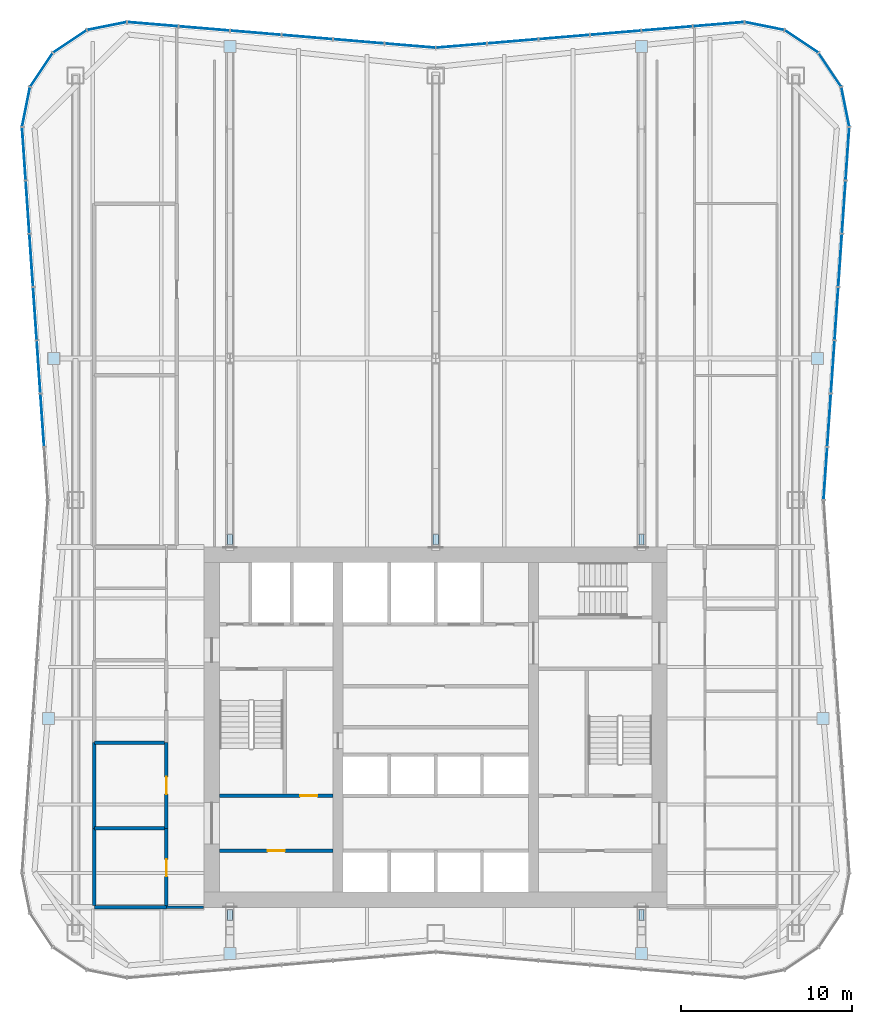
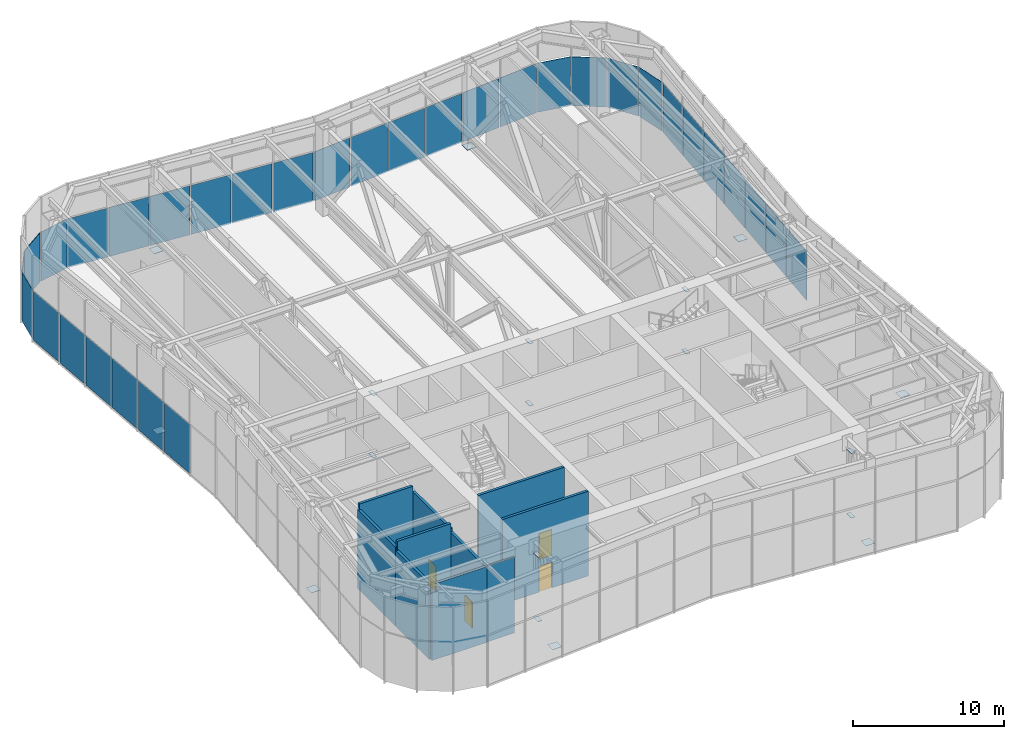
# One storey, part 8 of 14: 51 plates, 10 walls, 4 doors, 4 openings, 5 elements without a shape of their own.
"""IFC4 building model written with IfcOpenShell, lengths in metres."""

from ifc_helpers import new_model, si_unit, direction, frame, frame_2d, origin, origin_2d, place, context, subcontext, project, spatial, rectangle, extrude, material, layer, layer_set, type_object, element, fill, aggregate, save


model = new_model("IFC4")

# Units and contexts
model_context = context("Model", 3, precision=1e-05, world=origin(), true_north=direction((0.0, 1.0)))
body_context = subcontext(model_context, "Body", "Model", "MODEL_VIEW")
ifc_project = project(units=[si_unit("LENGTHUNIT", "METRE"), si_unit("AREAUNIT", "SQUARE_METRE"), si_unit("VOLUMEUNIT", "CUBIC_METRE"), si_unit("PLANEANGLEUNIT", "RADIAN"), si_unit("MASSUNIT", "GRAM", prefix="KILO")], contexts=[model_context])

# Site, building, storey
site_placement = place(None, origin())
site = spatial("IfcSite", under=ifc_project, at=site_placement, CompositionType="ELEMENT")
building_placement = place(site_placement, origin())
building = spatial("IfcBuilding", under=site, at=building_placement, Name="Verdant Reach Tower", CompositionType="ELEMENT")
storey_placement = place(building_placement, frame((0.0, 0.0, 226.0)))
storey = spatial("IfcBuildingStorey", under=building, at=storey_placement, Name="L52 Plant", CompositionType="ELEMENT", Elevation=226.0)

# Curtain wall, plates
ifc_material_1 = material(Name="Anodised aluminium", Category="aluminium")
curtain_wall_type = type_object("IfcCurtainWallType", Name="EN-CW SYSTEM PLANT", PredefinedType="NOTDEFINED", material=ifc_material_1)
curtain_wall_1_placement = place(storey_placement, origin())
curtain_wall_1 = element("IfcCurtainWall", 1, at=curtain_wall_1_placement, inside=storey, type_object=curtain_wall_type, Name="Curtain wall east, L52", PredefinedType="NOTDEFINED")
ifc_material_2 = material(Name="Bronze anodised aluminium solid panel", Category="aluminium")
ifc_layer_1 = layer(ifc_material_2, 0.0400390625)
ifc_layer_set_1 = layer_set([ifc_layer_1], Name="EN-PANEL SOLID")
plate_type_1 = type_object("IfcPlateType", Name="EN-PANEL SOLID", PredefinedType="CURTAIN_PANEL", material=ifc_layer_set_1)
plate_1_placement = place(storey_placement, frame((22.72607421875, 42.799560546875, -0.199951171875), z_axis=(0.0, 0.0, 1.0), x_axis=(0.068892655483, 0.997624078509, 0.0)))
plate_1 = element("IfcPlate", 2, at=plate_1_placement, type_object=plate_type_1, Name="Solid panel east face part 2 1.1, L52", PredefinedType="CURTAIN_PANEL", context=body_context, shape_type="SweptSolid", body=[
    extrude(rectangle(XDim=3.0302734375, YDim=0.0400390625, at=origin_2d()), origin(), (0.0, 0.0, 1.0), 3.97509765625),
])
plate_2_placement = place(storey_placement, frame((22.940185546875, 45.902587890625, -0.199951171875), z_axis=(0.0, 0.0, 1.0), x_axis=(0.068802091615, 0.997630328423, 0.0)))
plate_2 = element("IfcPlate", 3, at=plate_2_placement, type_object=plate_type_1, Name="Solid panel east face part 2 2.1, L52", PredefinedType="CURTAIN_PANEL", context=body_context, shape_type="SweptSolid", body=[
    extrude(rectangle(XDim=3.03857421875, YDim=0.0400390625, at=origin_2d()), origin(), (0.0, 0.0, 1.0), 3.97509765625),
])
plate_3_placement = place(storey_placement, frame((23.154541015625, 49.009765625, -0.199951171875), z_axis=(0.0, 0.0, 1.0), x_axis=(0.068802091615, 0.997630328423, 0.0)))
plate_3 = element("IfcPlate", 4, at=plate_3_placement, type_object=plate_type_1, Name="Solid panel east face part 2 3.1, L52", PredefinedType="CURTAIN_PANEL", context=body_context, shape_type="SweptSolid", body=[
    extrude(rectangle(XDim=3.03857421875, YDim=0.0400390625, at=origin_2d()), origin(), (0.0, 0.0, 1.0), 3.97509765625),
])
plate_4_placement = place(storey_placement, frame((23.36865234375, 52.11669921875, -0.199951171875), z_axis=(0.0, 0.0, 1.0), x_axis=(0.068802091615, 0.997630328423, 0.0)))
plate_4 = element("IfcPlate", 5, at=plate_4_placement, type_object=plate_type_1, Name="Solid panel east face part 2 4.1, L52", PredefinedType="CURTAIN_PANEL", context=body_context, shape_type="SweptSolid", body=[
    extrude(rectangle(XDim=3.03857421875, YDim=0.0400390625, at=origin_2d()), origin(), (0.0, 0.0, 1.0), 3.97509765625),
])
plate_5_placement = place(storey_placement, frame((23.5830078125, 55.223876953125, -0.199951171875), z_axis=(0.0, 0.0, 1.0), x_axis=(0.068802091615, 0.997630328423, 0.0)))
plate_5 = element("IfcPlate", 6, at=plate_5_placement, type_object=plate_type_1, Name="Solid panel east face part 2 5.1, L52", PredefinedType="CURTAIN_PANEL", context=body_context, shape_type="SweptSolid", body=[
    extrude(rectangle(XDim=3.03857421875, YDim=0.0400390625, at=origin_2d()), origin(), (0.0, 0.0, 1.0), 3.97509765625),
])
plate_6_placement = place(storey_placement, frame((23.79736328125, 58.3310546875, -0.199951171875), z_axis=(0.0, 0.0, 1.0), x_axis=(0.068802091615, 0.997630328423, 0.0)))
plate_6 = element("IfcPlate", 7, at=plate_6_placement, type_object=plate_type_1, Name="Solid panel east face part 2 6.1, L52", PredefinedType="CURTAIN_PANEL", context=body_context, shape_type="SweptSolid", body=[
    extrude(rectangle(XDim=3.03857421875, YDim=0.0400390625, at=origin_2d()), origin(), (0.0, 0.0, 1.0), 3.97509765625),
])
plate_7_placement = place(storey_placement, frame((24.011474609375, 61.446044921875, -0.199951171875), z_axis=(0.0, 0.0, 1.0), x_axis=(0.068469163133, 0.997653233193, 0.0)))
plate_7 = element("IfcPlate", 8, at=plate_7_placement, type_object=plate_type_1, Name="Solid panel east face part 2 7.1, L52", PredefinedType="CURTAIN_PANEL", context=body_context, shape_type="SweptSolid", body=[
    extrude(rectangle(XDim=3.05419921875, YDim=0.0400390625, at=origin_2d()), origin(), (0.0, 0.0, 1.0), 3.97509765625),
])
aggregate(curtain_wall_1, [plate_1, plate_2, plate_3, plate_4, plate_5, plate_6, plate_7])

curtain_wall_2_placement = place(storey_placement, origin())
curtain_wall_2 = element("IfcCurtainWall", 9, at=curtain_wall_2_placement, inside=storey, type_object=curtain_wall_type, Name="Curtain wall north-east corner, L52", PredefinedType="NOTDEFINED")
plate_8_placement = place(storey_placement, frame((23.885986328125, 64.174560546875, -0.199951171875), z_axis=(0.0, 0.0, 1.0), x_axis=(-0.195592962334, 0.980685165119, 0.0)))
plate_8 = element("IfcPlate", 10, at=plate_8_placement, type_object=plate_type_1, Name="Solid panel north-east corner 1.1, L52", PredefinedType="CURTAIN_PANEL", context=body_context, shape_type="SweptSolid", body=[
    extrude(rectangle(XDim=2.303955078125, YDim=0.0400390625, at=origin_2d()), origin(), (0.0, 0.0, 1.0), 3.97509765625),
])
plate_9_placement = place(storey_placement, frame((22.989990234375, 66.334228515625, -0.199951171875), z_axis=(0.0, 0.0, 1.0), x_axis=(-0.555596466265, 0.83145208321, 0.0)))
plate_9 = element("IfcPlate", 11, at=plate_9_placement, type_object=plate_type_1, Name="Solid panel north-east corner 2.1, L52", PredefinedType="CURTAIN_PANEL", context=body_context, shape_type="SweptSolid", body=[
    extrude(rectangle(XDim=2.3115234375, YDim=0.0400390625, at=origin_2d()), origin(), (0.0, 0.0, 1.0), 3.97509765625),
])
plate_10_placement = place(storey_placement, frame((21.334228515625, 67.989990234375, -0.199951171875), z_axis=(0.0, 0.0, 1.0), x_axis=(-0.83145208321, 0.555596466265, 0.0)))
plate_10 = element("IfcPlate", 12, at=plate_10_placement, type_object=plate_type_1, Name="Solid panel north-east corner 3.1, L52", PredefinedType="CURTAIN_PANEL", context=body_context, shape_type="SweptSolid", body=[
    extrude(rectangle(XDim=2.3115234375, YDim=0.0400390625, at=origin_2d()), origin(), (0.0, 0.0, 1.0), 3.97509765625),
])
plate_11_placement = place(storey_placement, frame((19.174072265625, 68.885986328125, -0.199951171875), z_axis=(0.0, 0.0, 1.0), x_axis=(-0.980694678629, 0.195545256419, 0.0)))
plate_11 = element("IfcPlate", 13, at=plate_11_placement, type_object=plate_type_1, Name="Solid panel north-east corner 4.1, L52", PredefinedType="CURTAIN_PANEL", context=body_context, shape_type="SweptSolid", body=[
    extrude(rectangle(XDim=2.304931640625, YDim=0.0400390625, at=origin_2d()), origin(), (0.0, 0.0, 1.0), 3.97509765625),
])
aggregate(curtain_wall_2, [plate_8, plate_9, plate_10, plate_11])

curtain_wall_3_placement = place(storey_placement, origin())
curtain_wall_3 = element("IfcCurtainWall", 14, at=curtain_wall_3_placement, inside=storey, type_object=curtain_wall_type, Name="Curtain wall north, L52", PredefinedType="NOTDEFINED")
plate_12_placement = place(storey_placement, frame((16.49853515625, 68.99365234375, -0.199951171875), z_axis=(0.0, 0.0, 1.0), x_axis=(-0.996577509664, -0.082663578629, 0.0)))
plate_12 = element("IfcPlate", 15, at=plate_12_placement, type_object=plate_type_1, Name="Solid panel north face part 1 1.1, L52", PredefinedType="CURTAIN_PANEL", context=body_context, shape_type="SweptSolid", body=[
    extrude(rectangle(XDim=2.950927734375, YDim=0.0400390625, at=origin_2d()), origin(), (0.0, 0.0, 1.0), 3.97509765625),
])
plate_13_placement = place(storey_placement, frame((13.490234375, 68.74365234375, -0.199951171875), z_axis=(0.0, 0.0, 1.0), x_axis=(-0.996545758244, -0.083045479859, 0.0)))
plate_13 = element("IfcPlate", 16, at=plate_13_placement, type_object=plate_type_1, Name="Solid panel north face part 1 2.1, L52", PredefinedType="CURTAIN_PANEL", context=body_context, shape_type="SweptSolid", body=[
    extrude(rectangle(XDim=2.934326171875, YDim=0.0400390625, at=origin_2d()), origin(), (0.0, 0.0, 1.0), 3.97509765625),
])
plate_14_placement = place(storey_placement, frame((10.490234375, 68.49365234375, -0.199951171875), z_axis=(0.0, 0.0, 1.0), x_axis=(-0.996545758244, -0.083045479859, 0.0)))
plate_14 = element("IfcPlate", 17, at=plate_14_placement, type_object=plate_type_1, Name="Solid panel north face part 1 3.1, L52", PredefinedType="CURTAIN_PANEL", context=body_context, shape_type="SweptSolid", body=[
    extrude(rectangle(XDim=2.934326171875, YDim=0.0400390625, at=origin_2d()), origin(), (0.0, 0.0, 1.0), 3.97509765625),
])
plate_15_placement = place(storey_placement, frame((7.490234375, 68.24365234375, -0.199951171875), z_axis=(0.0, 0.0, 1.0), x_axis=(-0.996545758244, -0.083045479859, 0.0)))
plate_15 = element("IfcPlate", 18, at=plate_15_placement, type_object=plate_type_1, Name="Solid panel north face part 1 4.1, L52", PredefinedType="CURTAIN_PANEL", context=body_context, shape_type="SweptSolid", body=[
    extrude(rectangle(XDim=2.934326171875, YDim=0.0400390625, at=origin_2d()), origin(), (0.0, 0.0, 1.0), 3.97509765625),
])
plate_16_placement = place(storey_placement, frame((4.490234375, 67.99365234375, -0.199951171875), z_axis=(0.0, 0.0, 1.0), x_axis=(-0.996545758244, -0.083045479859, 0.0)))
plate_16 = element("IfcPlate", 19, at=plate_16_placement, type_object=plate_type_1, Name="Solid panel north face part 1 5.1, L52", PredefinedType="CURTAIN_PANEL", context=body_context, shape_type="SweptSolid", body=[
    extrude(rectangle(XDim=2.934326171875, YDim=0.0400390625, at=origin_2d()), origin(), (0.0, 0.0, 1.0), 3.97509765625),
])
plate_17_placement = place(storey_placement, frame((1.4951171875, 67.743896484375, -0.199951171875), z_axis=(0.0, 0.0, 1.0), x_axis=(-0.996534372104, -0.083182000546, 0.0)))
plate_17 = element("IfcPlate", 20, at=plate_17_placement, type_object=plate_type_1, Name="Solid panel north face part 1 6.1, L52", PredefinedType="CURTAIN_PANEL", context=body_context, shape_type="SweptSolid", body=[
    extrude(rectangle(XDim=2.924560546875, YDim=0.0400390625, at=origin_2d()), origin(), (0.0, 0.0, 1.0), 3.97509765625),
])
plate_18_placement = place(storey_placement, frame((-1.4951171875, 67.743896484375, -0.199951171875), z_axis=(0.0, 0.0, 1.0), x_axis=(-0.996534372104, 0.083182000546, 0.0)))
plate_18 = element("IfcPlate", 21, at=plate_18_placement, type_object=plate_type_1, Name="Solid panel north face part 2 1.1, L52", PredefinedType="CURTAIN_PANEL", context=body_context, shape_type="SweptSolid", body=[
    extrude(rectangle(XDim=2.924560546875, YDim=0.0400390625, at=origin_2d()), origin(), (0.0, 0.0, 1.0), 3.97509765625),
])
plate_19_placement = place(storey_placement, frame((-4.490234375, 67.99365234375, -0.199951171875), z_axis=(0.0, 0.0, 1.0), x_axis=(-0.996545758244, 0.083045479859, 0.0)))
plate_19 = element("IfcPlate", 22, at=plate_19_placement, type_object=plate_type_1, Name="Solid panel north face part 2 2.1, L52", PredefinedType="CURTAIN_PANEL", context=body_context, shape_type="SweptSolid", body=[
    extrude(rectangle(XDim=2.934326171875, YDim=0.0400390625, at=origin_2d()), origin(), (0.0, 0.0, 1.0), 3.97509765625),
])
plate_20_placement = place(storey_placement, frame((-7.490234375, 68.24365234375, -0.199951171875), z_axis=(0.0, 0.0, 1.0), x_axis=(-0.996545758244, 0.083045479859, 0.0)))
plate_20 = element("IfcPlate", 23, at=plate_20_placement, type_object=plate_type_1, Name="Solid panel north face part 2 3.1, L52", PredefinedType="CURTAIN_PANEL", context=body_context, shape_type="SweptSolid", body=[
    extrude(rectangle(XDim=2.934326171875, YDim=0.0400390625, at=origin_2d()), origin(), (0.0, 0.0, 1.0), 3.97509765625),
])
plate_21_placement = place(storey_placement, frame((-10.490234375, 68.49365234375, -0.199951171875), z_axis=(0.0, 0.0, 1.0), x_axis=(-0.996545758244, 0.083045479859, 0.0)))
plate_21 = element("IfcPlate", 24, at=plate_21_placement, type_object=plate_type_1, Name="Solid panel north face part 2 4.1, L52", PredefinedType="CURTAIN_PANEL", context=body_context, shape_type="SweptSolid", body=[
    extrude(rectangle(XDim=2.934326171875, YDim=0.0400390625, at=origin_2d()), origin(), (0.0, 0.0, 1.0), 3.97509765625),
])
plate_22_placement = place(storey_placement, frame((-13.490234375, 68.74365234375, -0.199951171875), z_axis=(0.0, 0.0, 1.0), x_axis=(-0.996545758244, 0.083045479859, 0.0)))
plate_22 = element("IfcPlate", 25, at=plate_22_placement, type_object=plate_type_1, Name="Solid panel north face part 2 5.1, L52", PredefinedType="CURTAIN_PANEL", context=body_context, shape_type="SweptSolid", body=[
    extrude(rectangle(XDim=2.934326171875, YDim=0.0400390625, at=origin_2d()), origin(), (0.0, 0.0, 1.0), 3.97509765625),
])
plate_23_placement = place(storey_placement, frame((-16.49853515625, 68.99365234375, -0.199951171875), z_axis=(0.0, 0.0, 1.0), x_axis=(-0.996577509664, 0.082663578629, 0.0)))
plate_23 = element("IfcPlate", 26, at=plate_23_placement, type_object=plate_type_1, Name="Solid panel north face part 2 6.1, L52", PredefinedType="CURTAIN_PANEL", context=body_context, shape_type="SweptSolid", body=[
    extrude(rectangle(XDim=2.950927734375, YDim=0.0400390625, at=origin_2d()), origin(), (0.0, 0.0, 1.0), 3.97509765625),
])
aggregate(curtain_wall_3, [plate_12, plate_13, plate_14, plate_15, plate_16, plate_17, plate_18, plate_19, plate_20, plate_21, plate_22, plate_23])

curtain_wall_4_placement = place(storey_placement, origin())
curtain_wall_4 = element("IfcCurtainWall", 27, at=curtain_wall_4_placement, inside=storey, type_object=curtain_wall_type, Name="Curtain wall north-west corner, L52", PredefinedType="NOTDEFINED")
plate_24_placement = place(storey_placement, frame((-19.174072265625, 68.885986328125, -0.199951171875), z_axis=(0.0, 0.0, 1.0), x_axis=(-0.980694678629, -0.195545256419, 0.0)))
plate_24 = element("IfcPlate", 28, at=plate_24_placement, type_object=plate_type_1, Name="Solid panel north-west corner 1.1, L52", PredefinedType="CURTAIN_PANEL", context=body_context, shape_type="SweptSolid", body=[
    extrude(rectangle(XDim=2.304931640625, YDim=0.0400390625, at=origin_2d()), origin(), (0.0, 0.0, 1.0), 3.97509765625),
])
plate_25_placement = place(storey_placement, frame((-21.334228515625, 67.989990234375, -0.199951171875), z_axis=(0.0, 0.0, 1.0), x_axis=(-0.83145208321, -0.555596466265, 0.0)))
plate_25 = element("IfcPlate", 29, at=plate_25_placement, type_object=plate_type_1, Name="Solid panel north-west corner 2.1, L52", PredefinedType="CURTAIN_PANEL", context=body_context, shape_type="SweptSolid", body=[
    extrude(rectangle(XDim=2.3115234375, YDim=0.0400390625, at=origin_2d()), origin(), (0.0, 0.0, 1.0), 3.97509765625),
])
plate_26_placement = place(storey_placement, frame((-22.989990234375, 66.334228515625, -0.199951171875), z_axis=(0.0, 0.0, 1.0), x_axis=(-0.555596466265, -0.83145208321, 0.0)))
plate_26 = element("IfcPlate", 30, at=plate_26_placement, type_object=plate_type_1, Name="Solid panel north-west corner 3.1, L52", PredefinedType="CURTAIN_PANEL", context=body_context, shape_type="SweptSolid", body=[
    extrude(rectangle(XDim=2.3115234375, YDim=0.0400390625, at=origin_2d()), origin(), (0.0, 0.0, 1.0), 3.97509765625),
])
plate_27_placement = place(storey_placement, frame((-23.885986328125, 64.174560546875, -0.199951171875), z_axis=(0.0, 0.0, 1.0), x_axis=(-0.195592962334, -0.980685165119, 0.0)))
plate_27 = element("IfcPlate", 31, at=plate_27_placement, type_object=plate_type_1, Name="Solid panel north-west corner 4.1, L52", PredefinedType="CURTAIN_PANEL", context=body_context, shape_type="SweptSolid", body=[
    extrude(rectangle(XDim=2.303955078125, YDim=0.0400390625, at=origin_2d()), origin(), (0.0, 0.0, 1.0), 3.97509765625),
])
aggregate(curtain_wall_4, [plate_24, plate_25, plate_26, plate_27])

curtain_wall_5_placement = place(storey_placement, origin())
curtain_wall_5 = element("IfcCurtainWall", 32, at=curtain_wall_5_placement, inside=storey, type_object=curtain_wall_type, Name="Curtain wall west, L52", PredefinedType="NOTDEFINED")
plate_28_placement = place(storey_placement, frame((-24.011474609375, 61.446044921875, -0.199951171875), z_axis=(0.0, 0.0, 1.0), x_axis=(0.068469163133, -0.997653233193, 0.0)))
plate_28 = element("IfcPlate", 33, at=plate_28_placement, type_object=plate_type_1, Name="Solid panel west face part 1 1.1, L52", PredefinedType="CURTAIN_PANEL", context=body_context, shape_type="SweptSolid", body=[
    extrude(rectangle(XDim=3.05419921875, YDim=0.0400390625, at=origin_2d()), origin(), (0.0, 0.0, 1.0), 3.97509765625),
])
plate_29_placement = place(storey_placement, frame((-23.79736328125, 58.3310546875, -0.199951171875), z_axis=(0.0, 0.0, 1.0), x_axis=(0.068802091615, -0.997630328423, 0.0)))
plate_29 = element("IfcPlate", 34, at=plate_29_placement, type_object=plate_type_1, Name="Solid panel west face part 1 2.1, L52", PredefinedType="CURTAIN_PANEL", context=body_context, shape_type="SweptSolid", body=[
    extrude(rectangle(XDim=3.03857421875, YDim=0.0400390625, at=origin_2d()), origin(), (0.0, 0.0, 1.0), 3.97509765625),
])
plate_30_placement = place(storey_placement, frame((-23.5830078125, 55.223876953125, -0.199951171875), z_axis=(0.0, 0.0, 1.0), x_axis=(0.068802091615, -0.997630328423, 0.0)))
plate_30 = element("IfcPlate", 35, at=plate_30_placement, type_object=plate_type_1, Name="Solid panel west face part 1 3.1, L52", PredefinedType="CURTAIN_PANEL", context=body_context, shape_type="SweptSolid", body=[
    extrude(rectangle(XDim=3.03857421875, YDim=0.0400390625, at=origin_2d()), origin(), (0.0, 0.0, 1.0), 3.97509765625),
])
plate_31_placement = place(storey_placement, frame((-23.36865234375, 52.11669921875, -0.199951171875), z_axis=(0.0, 0.0, 1.0), x_axis=(0.068802091615, -0.997630328423, 0.0)))
plate_31 = element("IfcPlate", 36, at=plate_31_placement, type_object=plate_type_1, Name="Solid panel west face part 1 4.1, L52", PredefinedType="CURTAIN_PANEL", context=body_context, shape_type="SweptSolid", body=[
    extrude(rectangle(XDim=3.03857421875, YDim=0.0400390625, at=origin_2d()), origin(), (0.0, 0.0, 1.0), 3.97509765625),
])
plate_32_placement = place(storey_placement, frame((-23.154541015625, 49.009765625, -0.199951171875), z_axis=(0.0, 0.0, 1.0), x_axis=(0.068802091615, -0.997630328423, 0.0)))
plate_32 = element("IfcPlate", 37, at=plate_32_placement, type_object=plate_type_1, Name="Solid panel west face part 1 5.1, L52", PredefinedType="CURTAIN_PANEL", context=body_context, shape_type="SweptSolid", body=[
    extrude(rectangle(XDim=3.03857421875, YDim=0.0400390625, at=origin_2d()), origin(), (0.0, 0.0, 1.0), 3.97509765625),
])
plate_33_placement = place(storey_placement, frame((-22.940185546875, 45.902587890625, -0.199951171875), z_axis=(0.0, 0.0, 1.0), x_axis=(0.068802091615, -0.997630328423, 0.0)))
plate_33 = element("IfcPlate", 38, at=plate_33_placement, type_object=plate_type_1, Name="Solid panel west face part 1 6.1, L52", PredefinedType="CURTAIN_PANEL", context=body_context, shape_type="SweptSolid", body=[
    extrude(rectangle(XDim=3.03857421875, YDim=0.0400390625, at=origin_2d()), origin(), (0.0, 0.0, 1.0), 3.97509765625),
])
aggregate(curtain_wall_5, [plate_28, plate_29, plate_30, plate_31, plate_32, plate_33])

# Plates
ifc_material_3 = material(Name="Steel S460", Category="steel")
ifc_layer_2 = layer(ifc_material_3, 0.02001953125)
ifc_layer_set_2 = layer_set([ifc_layer_2], Name="ST-PLATE-END20")
plate_type_2 = type_object("IfcPlateType", Name="ST-PLATE-END20", PredefinedType="SHEET", material=ifc_layer_set_2)
for number, where, z_axis, x_axis, name in (
    (39, (-12.0, 67.699951171875, 0.002685546875), (0.0, 0.0, 1.0), (1.0, 0.0, 0.0), "Cap plate, perimeter column north 1, L52 Plant"),
    (40, (12.0, 67.699951171875, 0.002685546875), (0.0, 0.0, 1.0), (1.0, 0.0, 0.0), "Cap plate, perimeter column north 2, L52 Plant"),
    (41, (-12.0, 14.800048828125, 0.002685546875), (0.0, 0.0, 1.0), (1.0, 0.0, 0.0), "Cap plate, perimeter column south 1, L52 Plant"),
    (42, (12.0, 14.800048828125, 0.002685546875), (0.0, 0.0, 1.0), (1.0, 0.0, 0.0), "Cap plate, perimeter column south 2, L52 Plant"),
    (43, (22.5791015625, 28.5, 0.002685546875), (0.012194215217, 0.0, 0.999925647793), (0.0, 1.0, 0.0), "Cap plate, perimeter column east 1, L52 Plant"),
    (44, (22.268798828125, 49.5, 0.002685546875), (0.012194215217, 0.0, 0.999925647793), (0.0, 1.0, 0.0), "Cap plate, perimeter column east 2, L52 Plant"),
    (45, (-22.5791015625, 28.5, 0.002685546875), (-0.012194215217, 0.0, 0.999925647793), (0.0, -1.0, 0.0), "Cap plate, perimeter column west 1, L52 Plant"),
    (46, (-22.268798828125, 49.5, 0.002685546875), (-0.012194215217, 0.0, 0.999925647793), (0.0, -1.0, 0.0), "Cap plate, perimeter column west 2, L52 Plant"),
):
    element("IfcPlate", number, at=place(storey_placement, frame(where, z_axis=z_axis, x_axis=x_axis)), inside=storey, type_object=plate_type_2, Name=name, PredefinedType="SHEET", context=body_context, shape_type="SweptSolid", body=[
        extrude(rectangle(XDim=0.699951171875, YDim=0.699951171875, at=origin_2d()), origin(), (0.0, 0.0, 1.0), 0.02001953125),
    ])
for number, where, z_axis, x_axis, name in (
    (47, (-12.0, 38.949951171875, 0.81396484375), (0.0, 0.0, 1.0), (1.0, 0.0, 0.0), "End plate, belt truss C north end post bottom, L52 Plant"),
    (48, (-12.0, 38.949951171875, 5.842041015625), (0.0, 0.0, 1.0), (1.0, 0.0, 0.0), "End plate, belt truss C north end post top, L52 Plant"),
    (49, (-12.0, 17.050048828125, 0.81396484375), (0.0, 0.0, 1.0), (1.0, 0.0, 0.0), "End plate, belt truss C south end post bottom, L52 Plant"),
    (50, (-12.0, 17.050048828125, 6.035888671875), (0.0, 0.0, 1.0), (1.0, 0.0, 0.0), "End plate, belt truss C south end post top, L52 Plant"),
    (51, (0.0, 38.949951171875, 0.81396484375), (0.0, 0.0, 1.0), (1.0, 0.0, 0.0), "End plate, belt truss D north end post bottom, L52 Plant"),
    (52, (0.0, 38.949951171875, 5.842041015625), (0.0, 0.0, 1.0), (1.0, 0.0, 0.0), "End plate, belt truss D north end post top, L52 Plant"),
    (53, (12.0, 38.949951171875, 0.81396484375), (0.0, 0.0, 1.0), (1.0, 0.0, 0.0), "End plate, belt truss E north end post bottom, L52 Plant"),
    (54, (12.0, 38.949951171875, 5.842041015625), (0.0, 0.0, 1.0), (1.0, 0.0, 0.0), "End plate, belt truss E north end post top, L52 Plant"),
    (55, (12.0, 17.050048828125, 0.81396484375), (0.0, 0.0, 1.0), (1.0, 0.0, 0.0), "End plate, belt truss E south end post bottom, L52 Plant"),
    (56, (12.0, 17.050048828125, 6.035888671875), (0.0, 0.0, 1.0), (1.0, 0.0, 0.0), "End plate, belt truss E south end post top, L52 Plant"),
):
    element("IfcPlate", number, at=place(storey_placement, frame(where, z_axis=z_axis, x_axis=x_axis)), inside=storey, type_object=plate_type_2, Name=name, PredefinedType="SHEET", context=body_context, shape_type="SweptSolid", body=[
        extrude(rectangle(XDim=0.304931640625, YDim=0.6201171875, at=origin_2d()), origin(), (0.0, 0.0, 1.0), 0.02001953125),
    ])

# Wall, opening, door
ifc_material_4 = material(Name="Gypsum board on steel studs", Category="steel")
ifc_layer_3 = layer(ifc_material_4, 0.199951171875)
ifc_layer_set_3 = layer_set([ifc_layer_3], Name="CO-WALL-ROOM")
wall_type_1 = type_object("IfcWallType", Name="CO-WALL-ROOM", PredefinedType="PARTITIONING", material=ifc_layer_set_3)
wall_1_placement = place(storey_placement, frame((-12.60009765625, 20.800048828125, 0.0), z_axis=(0.0, 0.0, 1.0), x_axis=(1.0, 0.0, 0.0)))
wall_1 = element("IfcWall", 57, at=wall_1_placement, inside=storey, type_object=wall_type_1, Name="Core partition, L52 Plant", PredefinedType="PARTITIONING", context=body_context, shape_type="SweptSolid", body=[
    extrude(rectangle(XDim=6.60009765625, YDim=0.199951171875, at=frame_2d((3.300048828125, 0.0))), origin(), (0.0, 0.0, 1.0), 6.8701171875),
])
opening_1_placement = place(wall_1_placement, frame((2.800048828125, 0.0, 0.0)))
opening_1 = element("IfcOpeningElement", 58, at=opening_1_placement, cuts=wall_1, Name="Opening CD", PredefinedType="OPENING", context=body_context, shape_type="SweptSolid", body=[
    extrude(rectangle(XDim=1.0, YDim=2.10009765625, at=frame_2d((0.5, 1.050048828125))), frame((0.0, 0.10986328125, 0.0), z_axis=(0.0, -1.0, 0.0), x_axis=(1.0, 0.0, 0.0)), (0.0, 0.0, 1.0), 0.219970703125),
])
ifc_material_5 = material(Name="Timber", Category="wood")
door_type_1 = type_object("IfcDoorType", Name="CO-DOOR-ROOM", OperationType="NOTDEFINED", PredefinedType="DOOR", material=ifc_material_5)
door_1_placement = place(opening_1_placement, origin())
door_1 = element("IfcDoor", 59, at=door_1_placement, inside=storey, type_object=door_type_1, Name="Core room door, L52 Plant", OperationType="SINGLE_SWING_RIGHT", OverallHeight=2.10009765625, OverallWidth=1.0, PredefinedType="DOOR", context=body_context, shape_type="SweptSolid", body=[
    extrude(rectangle(XDim=1.0, YDim=2.10009765625, at=frame_2d((0.5, 1.050048828125))), frame((0.0, 0.02490234375, 0.0), z_axis=(0.0, -1.0, 0.0), x_axis=(1.0, 0.0, 0.0)), (0.0, 0.0, 1.0), 0.050048828125),
])
fill(opening_1, door_1)

ifc_material_6 = material(Name="Concrete C40/50", Category="concrete")
ifc_layer_4 = layer(ifc_material_6, 0.199951171875)
ifc_layer_set_4 = layer_set([ifc_layer_4], Name="CO-WALL-STAIR")
wall_type_2 = type_object("IfcWallType", Name="CO-WALL-STAIR", PredefinedType="PARTITIONING", material=ifc_layer_set_4)
wall_2_placement = place(storey_placement, frame((-12.60009765625, 24.0, 0.0), z_axis=(0.0, 0.0, 1.0), x_axis=(1.0, 0.0, 0.0)))
wall_2 = element("IfcWall", 60, at=wall_2_placement, inside=storey, type_object=wall_type_2, Name="Stair enclosure wall, L52 Plant", PredefinedType="PARTITIONING", context=body_context, shape_type="SweptSolid", body=[
    extrude(rectangle(XDim=6.60009765625, YDim=0.199951171875, at=frame_2d((3.300048828125, 0.0))), origin(), (0.0, 0.0, 1.0), 6.8701171875),
])
opening_2_placement = place(wall_2_placement, frame((4.699951171875, 0.0, 0.0)))
opening_2 = element("IfcOpeningElement", 61, at=opening_2_placement, cuts=wall_2, Name="Opening CD", PredefinedType="OPENING", context=body_context, shape_type="SweptSolid", body=[
    extrude(rectangle(XDim=1.0, YDim=2.10009765625, at=frame_2d((0.5, 1.050048828125))), frame((0.0, 0.10986328125, 0.0), z_axis=(0.0, -1.0, 0.0), x_axis=(1.0, 0.0, 0.0)), (0.0, 0.0, 1.0), 0.219970703125),
])
door_2_placement = place(opening_2_placement, origin())
door_2 = element("IfcDoor", 62, at=door_2_placement, inside=storey, type_object=door_type_1, Name="Core room door, L52 Plant", OperationType="SINGLE_SWING_LEFT", OverallHeight=2.10009765625, OverallWidth=1.0, PredefinedType="DOOR", context=body_context, shape_type="SweptSolid", body=[
    extrude(rectangle(XDim=1.0, YDim=2.10009765625, at=frame_2d((0.5, 1.050048828125))), frame((0.0, 0.02490234375, 0.0), z_axis=(0.0, -1.0, 0.0), x_axis=(1.0, 0.0, 0.0)), (0.0, 0.0, 1.0), 0.050048828125),
])
fill(opening_2, door_2)

# Wall
ifc_material_7 = material(Name="Gypsum board on steel studs, fire rated", Category="steel")
ifc_layer_5 = layer(ifc_material_7, 0.125)
ifc_layer_set_5 = layer_set([ifc_layer_5], Name="SV-W2 Plant wall 125 EI 60")
wall_type_3 = type_object("IfcWallType", Name="SV-W2 Plant wall 125 EI 60", PredefinedType="PARTITIONING", material=ifc_layer_set_5)
wall_3_placement = place(storey_placement, frame((-13.550048828125, 17.5, 0.0), z_axis=(0.0, 0.0, 1.0), x_axis=(-1.0, 0.0, 0.0)))
element("IfcWall", 63, at=wall_3_placement, inside=storey, type_object=wall_type_3, Name="Partition L52.43", PredefinedType="PARTITIONING", context=body_context, shape_type="SweptSolid", body=[
    extrude(rectangle(XDim=2.14794921875, YDim=0.125, at=frame_2d((1.073974609375, 0.0))), origin(), (0.0, 0.0, 1.0), 6.139892578125),
])

# Wall, opening, door
ifc_material_8 = material(Name="Calcium silicate board on steel studs, fire rated", Category="steel")
ifc_layer_6 = layer(ifc_material_8, 0.199951171875)
ifc_layer_set_6 = layer_set([ifc_layer_6], Name="SV-W3 Fire wall 200 EI 120")
wall_type_4 = type_object("IfcWallType", Name="SV-W3 Fire wall 200 EI 120", PredefinedType="PARTITIONING", material=ifc_layer_set_6)
wall_4_placement = place(storey_placement, frame((-15.699951171875, 22.10009765625, 0.0), z_axis=(0.0, 0.0, 1.0), x_axis=(0.0, -1.0, 0.0)))
wall_4 = element("IfcWall", 64, at=wall_4_placement, inside=storey, type_object=wall_type_4, Name="Partition L52.17", PredefinedType="PARTITIONING", context=body_context, shape_type="SweptSolid", body=[
    extrude(rectangle(XDim=4.60009765625, YDim=0.199951171875, at=frame_2d((2.300048828125, 0.0))), origin(), (0.0, 0.0, 1.0), 6.139892578125),
])
opening_3_placement = place(wall_4_placement, frame((1.800048828125, 0.0, 0.0)))
opening_3 = element("IfcOpeningElement", 65, at=opening_3_placement, cuts=wall_4, Name="Opening SD4", PredefinedType="OPENING", context=body_context, shape_type="SweptSolid", body=[
    extrude(rectangle(XDim=1.0, YDim=2.10009765625, at=frame_2d((0.5, 1.050048828125))), frame((0.0, 0.10986328125, 0.0), z_axis=(0.0, -1.0, 0.0), x_axis=(1.0, 0.0, 0.0)), (0.0, 0.0, 1.0), 0.219970703125),
])
ifc_material_9 = material(Name="Steel door leaf, fire rated", Category="steel")
door_type_2 = type_object("IfcDoorType", Name="SV-D4 Door 1000x2100 FD120", OperationType="NOTDEFINED", PredefinedType="DOOR", material=ifc_material_9)
door_3_placement = place(opening_3_placement, origin())
door_3 = element("IfcDoor", 66, at=door_3_placement, inside=storey, type_object=door_type_2, Name="Door L52-009", OperationType="SINGLE_SWING_LEFT", OverallHeight=2.10009765625, OverallWidth=1.0, PredefinedType="DOOR", context=body_context, shape_type="SweptSolid", body=[
    extrude(rectangle(XDim=1.0, YDim=2.10009765625, at=frame_2d((0.5, 1.050048828125))), frame((0.0, 0.02490234375, 0.0), z_axis=(0.0, -1.0, 0.0), x_axis=(1.0, 0.0, 0.0)), (0.0, 0.0, 1.0), 0.050048828125),
])
fill(opening_3, door_3)

wall_5_placement = place(storey_placement, frame((-15.699951171875, 27.10009765625, 0.0), z_axis=(0.0, 0.0, 1.0), x_axis=(0.0, -1.0, 0.0)))
wall_5 = element("IfcWall", 67, at=wall_5_placement, inside=storey, type_object=wall_type_4, Name="Partition L52.18", PredefinedType="PARTITIONING", context=body_context, shape_type="SweptSolid", body=[
    extrude(rectangle(XDim=5.0, YDim=0.199951171875, at=frame_2d((2.5, 0.0))), origin(), (0.0, 0.0, 1.0), 6.389892578125),
])
opening_4_placement = place(wall_5_placement, frame((2.0, 0.0, 0.0)))
opening_4 = element("IfcOpeningElement", 68, at=opening_4_placement, cuts=wall_5, Name="Opening SD4", PredefinedType="OPENING", context=body_context, shape_type="SweptSolid", body=[
    extrude(rectangle(XDim=1.0, YDim=2.10009765625, at=frame_2d((0.5, 1.050048828125))), frame((0.0, 0.10986328125, 0.0), z_axis=(0.0, -1.0, 0.0), x_axis=(1.0, 0.0, 0.0)), (0.0, 0.0, 1.0), 0.219970703125),
])
door_4_placement = place(opening_4_placement, origin())
door_4 = element("IfcDoor", 69, at=door_4_placement, inside=storey, type_object=door_type_2, Name="Door L52-010", OperationType="SINGLE_SWING_RIGHT", OverallHeight=2.10009765625, OverallWidth=1.0, PredefinedType="DOOR", context=body_context, shape_type="SweptSolid", body=[
    extrude(rectangle(XDim=1.0, YDim=2.10009765625, at=frame_2d((0.5, 1.050048828125))), frame((0.0, 0.02490234375, 0.0), z_axis=(0.0, -1.0, 0.0), x_axis=(1.0, 0.0, 0.0)), (0.0, 0.0, 1.0), 0.050048828125),
])
fill(opening_4, door_4)

# Walls
for number, where, z_axis, x_axis, name in (
    (70, (-19.89990234375, 22.10009765625, 0.0), (0.0, 0.0, 1.0), (1.0, 0.0, 0.0), "Partition L52.26"),
    (71, (-19.89990234375, 27.10009765625, 0.0), (0.0, 0.0, 1.0), (1.0, 0.0, 0.0), "Partition L52.27"),
):
    element("IfcWall", number, at=place(storey_placement, frame(where, z_axis=z_axis, x_axis=x_axis)), inside=storey, type_object=wall_type_4, Name=name, PredefinedType="PARTITIONING", context=body_context, shape_type="SweptSolid", body=[
        extrude(rectangle(XDim=4.099853515625, YDim=0.199951171875, at=frame_2d((2.0498046875, 0.0))), origin(), (0.0, 0.0, 1.0), 6.8701171875),
    ])
wall_6_placement = place(storey_placement, frame((-15.701904296875, 17.5, 0.0), z_axis=(0.0, 0.0, 1.0), x_axis=(-1.0, 0.0, 0.0)))
element("IfcWall", 72, at=wall_6_placement, inside=storey, type_object=wall_type_4, Name="Partition L52.45", PredefinedType="PARTITIONING", context=body_context, shape_type="SweptSolid", body=[
    extrude(rectangle(XDim=4.197998046875, YDim=0.199951171875, at=frame_2d((2.09912109375, 0.0))), origin(), (0.0, 0.0, 1.0), 6.139892578125),
])
wall_7_placement = place(storey_placement, frame((-19.89990234375, 17.60009765625, 0.0), z_axis=(0.0, 0.0, 1.0), x_axis=(0.0, 1.0, 0.0)))
element("IfcWall", 73, at=wall_7_placement, inside=storey, type_object=wall_type_4, Name="Partition L52.46", PredefinedType="PARTITIONING", context=body_context, shape_type="SweptSolid", body=[
    extrude(rectangle(XDim=4.497802734375, YDim=0.199951171875, at=frame_2d((2.2490234375, 0.0))), origin(), (0.0, 0.0, 1.0), 6.139892578125),
])
wall_8_placement = place(storey_placement, frame((-19.89990234375, 22.10205078125, 0.0), z_axis=(0.0, 0.0, 1.0), x_axis=(0.0, 1.0, 0.0)))
element("IfcWall", 74, at=wall_8_placement, inside=storey, type_object=wall_type_4, Name="Partition L52.47", PredefinedType="PARTITIONING", context=body_context, shape_type="SweptSolid", body=[
    extrude(rectangle(XDim=4.995849609375, YDim=0.199951171875, at=frame_2d((2.498046875, 0.0))), origin(), (0.0, 0.0, 1.0), 6.389892578125),
])

save(model, "model.ifc")
